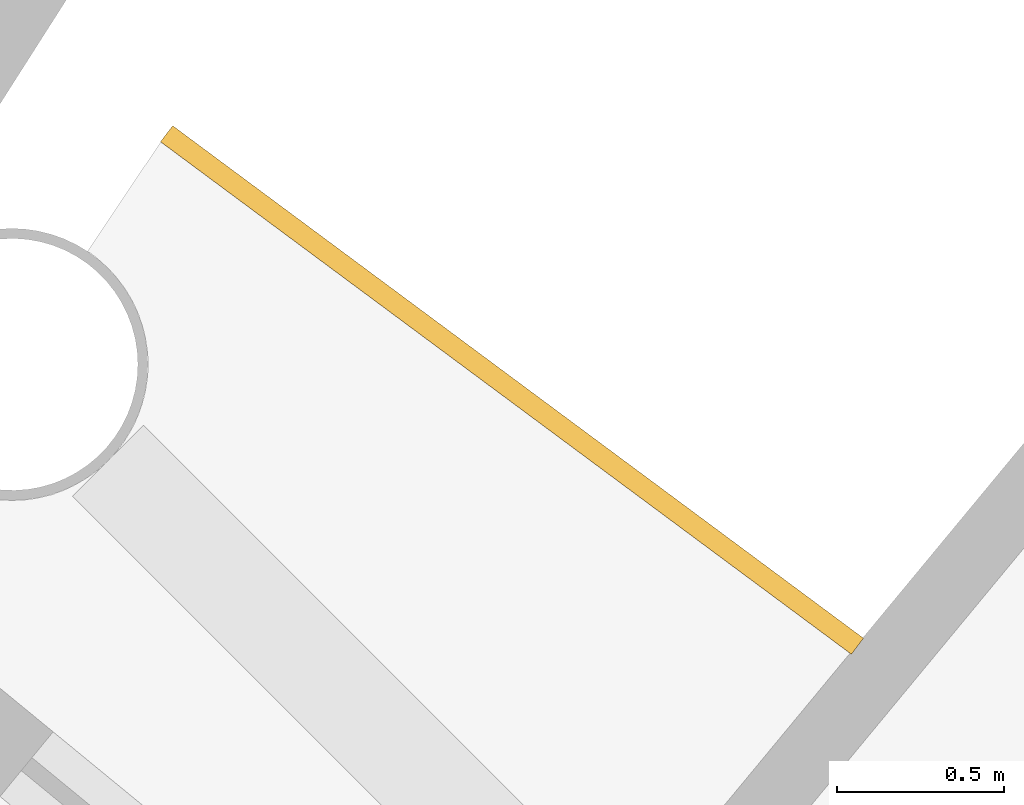
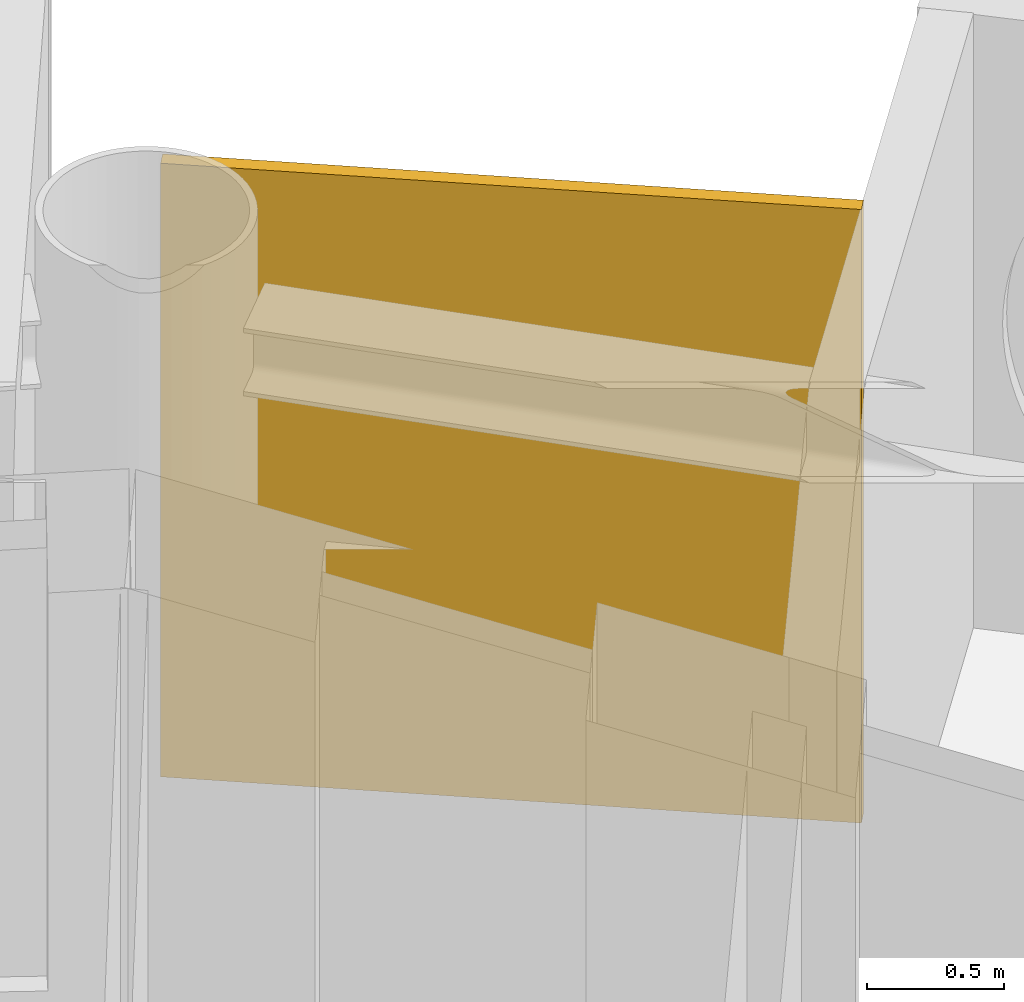
# One storey, part 27 of 27: 1 railing.
"""IFC4 building model written with IfcOpenShell, lengths in metres."""

from ifc_helpers import new_model, si_unit, direction, frame, origin, place, context, subcontext, project, spatial, polyline, outline, extrude, material, layer, layer_set, type_object, element, save


model = new_model("IFC4")

# Units and contexts
model_context = context("Model", 3, precision=1e-05, world=origin(), true_north=direction((0.0, 1.0)))
body_context = subcontext(model_context, "Body", "Model", "MODEL_VIEW")
ifc_project = project(units=[si_unit("LENGTHUNIT", "METRE"), si_unit("AREAUNIT", "SQUARE_METRE"), si_unit("VOLUMEUNIT", "CUBIC_METRE"), si_unit("PLANEANGLEUNIT", "RADIAN"), si_unit("MASSUNIT", "GRAM", prefix="KILO")], contexts=[model_context])

# Site, building, storey
site_placement = place(None, origin())
site = spatial("IfcSite", under=ifc_project, at=site_placement, CompositionType="ELEMENT")
building_placement = place(site_placement, origin())
building = spatial("IfcBuilding", under=site, at=building_placement, Name="Maasbend Ring Residences", CompositionType="ELEMENT")
storey_placement = place(building_placement, frame((0.0, 0.0, 240.14990234375)))
storey = spatial("IfcBuildingStorey", under=building, at=storey_placement, Name="L69", CompositionType="ELEMENT", Elevation=240.14990234375)

# Railing
ifc_material = material(Name="Pale anodised perforated aluminium", Category="aluminium")
ifc_layer = layer(ifc_material, 0.06005859375)
ifc_layer_set = layer_set([ifc_layer], Name="SCREEN-P")
railing_type = type_object("IfcRailingType", Name="SCREEN-P", PredefinedType="GUARDRAIL", material=ifc_layer_set)
railing_placement = place(storey_placement, frame((0.0, 0.0, -0.02978515625)))
element("IfcRailing", 1, at=railing_placement, inside=storey, type_object=railing_type, Name="Perforated screen guard 2", PredefinedType="GUARDRAIL", context=body_context, shape_type="SweptSolid", body=[
    extrude(outline(polyline([(16.62109375, 20.2529296875), (14.555908203125, 21.784912109375), (14.592041015625, 21.8330078125), (16.656982421875, 20.301025390625), (16.62109375, 20.2529296875)])), origin(), (0.0, 0.0, 1.0), 2.72998046875),
])

save(model, "model.ifc")
